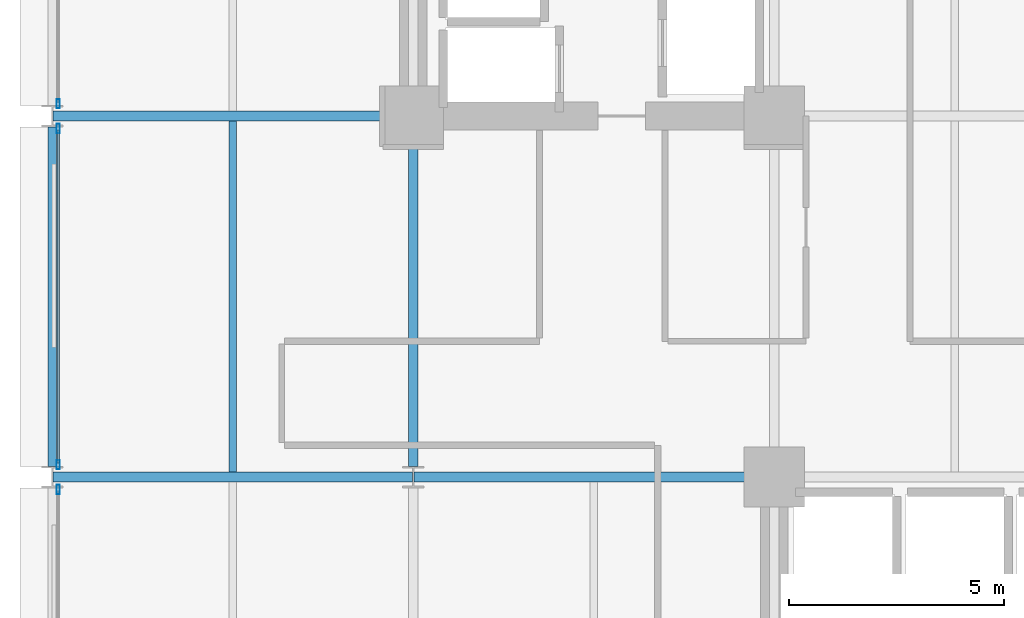
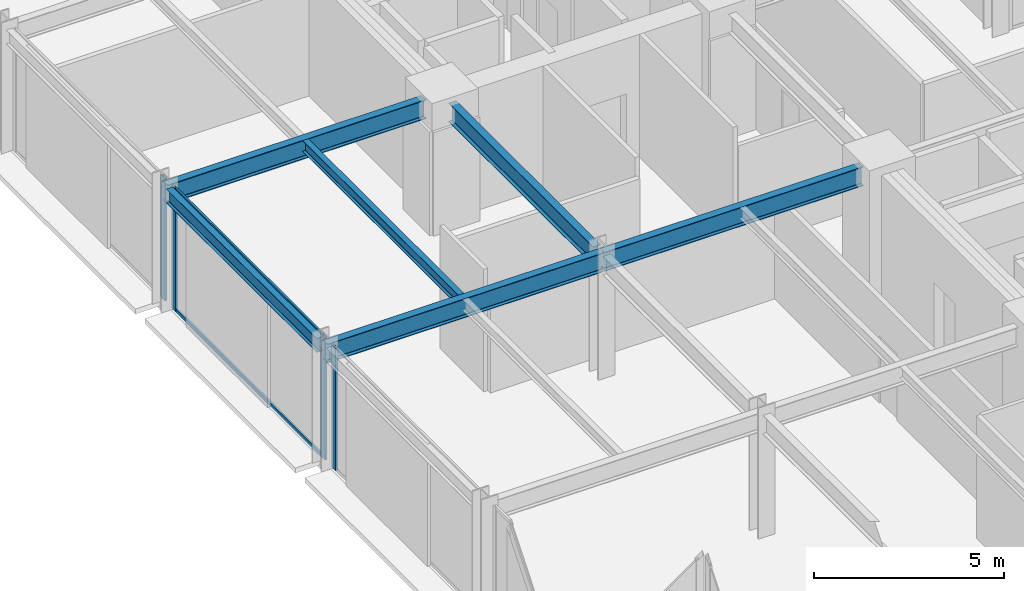
# One storey, part 6 of 25: 6 beams, 6 members, 3 elements without a shape of their own.
"""IFC4 building model written with IfcOpenShell, lengths in metres."""

from ifc_helpers import new_model, si_unit, direction, frame, origin, origin_2d, place, context, subcontext, project, spatial, hollow_rectangle, i_section, extrude, material, layer, layer_set, material_profile, profile_set, type_object, element, aggregate, save


model = new_model("IFC4")

# Units and contexts
model_context = context("Model", 3, precision=1e-05, world=origin(), true_north=direction((0.0, 1.0)))
body_context = subcontext(model_context, "Body", "Model", "MODEL_VIEW")
ifc_project = project(units=[si_unit("LENGTHUNIT", "METRE"), si_unit("AREAUNIT", "SQUARE_METRE"), si_unit("VOLUMEUNIT", "CUBIC_METRE"), si_unit("PLANEANGLEUNIT", "RADIAN"), si_unit("MASSUNIT", "GRAM", prefix="KILO")], contexts=[model_context])

# Site, building, storey
site_placement = place(None, origin())
site = spatial("IfcSite", under=ifc_project, at=site_placement, CompositionType="ELEMENT")
building_placement = place(site_placement, origin())
building = spatial("IfcBuilding", under=site, at=building_placement, Name="Nerrivon Quay Data Exchange", CompositionType="ELEMENT")
storey_placement = place(building_placement, frame((0.0, 0.0, 24.800048828125)))
storey = spatial("IfcBuildingStorey", under=building, at=storey_placement, Name="L05", CompositionType="ELEMENT", Elevation=24.800048828125)

# Beams
ifc_material_1 = material(Name="Steel Grade 350", Category="steel")
ifc_material_profile_1 = material_profile(ifc_material_1, i_section(OverallWidth=0.22900390625, OverallDepth=0.612060546875, WebThickness=0.011962890625, FlangeThickness=0.01953125, FilletRadius=0.013916015625, at=origin_2d()), Name="610UB125")
ifc_profile_set_1 = profile_set([ifc_material_profile_1], Name="Steel Grade 350")
beam_type_1 = type_object("IfcBeamType", Name="BM-G1-610UB125", PredefinedType="BEAM", material=ifc_profile_set_1)
beam_1_placement = place(storey_placement, frame((0.013916015625, 16.800048828125, 3.618896484375), z_axis=(1.0, 0.0, 0.0), x_axis=(0.0, 1.0, 0.0)))
element("IfcBeam", 1, at=beam_1_placement, inside=storey, type_object=beam_type_1, Name="L05 EW Girder Y=16.8 (0.0..8.4)", PredefinedType="BEAM", context=body_context, shape_type="SweptSolid", body=[
    extrude(i_section(OverallWidth=0.22900390625, OverallDepth=0.612060546875, WebThickness=0.011962890625, FlangeThickness=0.01953125, FilletRadius=0.013916015625, at=origin_2d()), origin(), (0.0, 0.0, 1.0), 8.3720703125),
])
beam_2_placement = place(storey_placement, frame((8.4140625, 16.800048828125, 3.618896484375), z_axis=(1.0, 0.0, 0.0), x_axis=(0.0, 1.0, 0.0)))
element("IfcBeam", 2, at=beam_2_placement, inside=storey, type_object=beam_type_1, Name="L05 EW Girder Y=16.8 (8.4..16.8)", PredefinedType="BEAM", context=body_context, shape_type="SweptSolid", body=[
    extrude(i_section(OverallWidth=0.22900390625, OverallDepth=0.612060546875, WebThickness=0.011962890625, FlangeThickness=0.01953125, FilletRadius=0.013916015625, at=origin_2d()), origin(), (0.0, 0.0, 1.0), 7.845947265625),
])
beam_3_placement = place(storey_placement, frame((0.013916015625, 25.199951171875, 3.618896484375), z_axis=(1.0, 0.0, 0.0), x_axis=(0.0, 1.0, 0.0)))
element("IfcBeam", 3, at=beam_3_placement, inside=storey, type_object=beam_type_1, Name="L05 EW Girder Y=25.2 (0.0..8.4)", PredefinedType="BEAM", context=body_context, shape_type="SweptSolid", body=[
    extrude(i_section(OverallWidth=0.22900390625, OverallDepth=0.612060546875, WebThickness=0.011962890625, FlangeThickness=0.01953125, FilletRadius=0.013916015625, at=origin_2d()), origin(), (0.0, 0.0, 1.0), 7.84619140625),
])
ifc_material_profile_2 = material_profile(ifc_material_1, i_section(OverallWidth=0.22802734375, OverallDepth=0.60205078125, WebThickness=0.010498046875, FlangeThickness=0.014892578125, FilletRadius=0.013916015625, at=origin_2d()), Name="610UB101")
ifc_profile_set_2 = profile_set([ifc_material_profile_2], Name="Steel Grade 350")
beam_type_2 = type_object("IfcBeamType", Name="BM-G2-610UB101", PredefinedType="BEAM", material=ifc_profile_set_2)
beam_4_placement = place(storey_placement, frame((8.39990234375, 17.050048828125, 3.6240234375), z_axis=(0.0, 1.0, 0.0), x_axis=(-1.0, 0.0, 0.0)))
element("IfcBeam", 4, at=beam_4_placement, inside=storey, type_object=beam_type_2, Name="L05 NS Girder X=8.4 (16.8..25.2)", PredefinedType="BEAM", context=body_context, shape_type="SweptSolid", body=[
    extrude(i_section(OverallWidth=0.22802734375, OverallDepth=0.60205078125, WebThickness=0.010498046875, FlangeThickness=0.014892578125, FilletRadius=0.013916015625, at=origin_2d()), origin(), (0.0, 0.0, 1.0), 7.60986328125),
])
ifc_material_profile_3 = material_profile(ifc_material_1, i_section(OverallWidth=0.172119140625, OverallDepth=0.35888671875, WebThickness=0.008056640625, FlangeThickness=0.012939453125, FilletRadius=0.011474609375, at=origin_2d()), Name="360UB56.7")
ifc_profile_set_3 = profile_set([ifc_material_profile_3], Name="Steel Grade 350")
beam_type_3 = type_object("IfcBeamType", Name="BM-J3-360UB57", PredefinedType="JOIST", material=ifc_profile_set_3)
beam_5_placement = place(storey_placement, frame((4.199951171875, 16.91455078125, 3.745361328125), z_axis=(0.0, 1.0, 0.0), x_axis=(-1.0, 0.0, 0.0)))
element("IfcBeam", 5, at=beam_5_placement, inside=storey, type_object=beam_type_3, Name="L05 Secondary Joist X=4.2 (16.8..25.2)", PredefinedType="JOIST", context=body_context, shape_type="SweptSolid", body=[
    extrude(i_section(OverallWidth=0.172119140625, OverallDepth=0.35888671875, WebThickness=0.008056640625, FlangeThickness=0.012939453125, FilletRadius=0.011474609375, at=origin_2d()), origin(), (0.0, 0.0, 1.0), 8.1708984375),
])
ifc_material_profile_4 = material_profile(ifc_material_1, i_section(OverallWidth=0.18994140625, OverallDepth=0.4541015625, WebThickness=0.008544921875, FlangeThickness=0.0126953125, FilletRadius=0.011474609375, at=origin_2d()), Name="460UB67.1")
ifc_profile_set_4 = profile_set([ifc_material_profile_4], Name="Steel Grade 350")
beam_type_4 = type_object("IfcBeamType", Name="BM-SP1-460UB67", PredefinedType="SPANDREL", material=ifc_profile_set_4)
beam_6_placement = place(storey_placement, frame((0.0, 17.050048828125, 3.697998046875), z_axis=(0.0, 1.0, 0.0), x_axis=(-1.0, 0.0, 0.0)))
element("IfcBeam", 6, at=beam_6_placement, inside=storey, type_object=beam_type_4, Name="L05 NS Girder X=0.0 (16.8..25.2)", PredefinedType="SPANDREL", context=body_context, shape_type="SweptSolid", body=[
    extrude(i_section(OverallWidth=0.18994140625, OverallDepth=0.4541015625, WebThickness=0.008544921875, FlangeThickness=0.0126953125, FilletRadius=0.011474609375, at=origin_2d()), origin(), (0.0, 0.0, 1.0), 7.89990234375),
])

# Curtain wall, member
ifc_material_2 = material(Name="Anodised aluminium 6063-T6", Category="aluminium")
ifc_layer = layer(ifc_material_2, 0.219970703125)
ifc_layer_set = layer_set([ifc_layer], Name="Anodised aluminium 6063-T6")
curtain_wall_type = type_object("IfcCurtainWallType", Name="CW-SYS-01", PredefinedType="NOTDEFINED", material=ifc_layer_set)
curtain_wall_1_placement = place(storey_placement, origin())
curtain_wall_1 = element("IfcCurtainWall", 7, at=curtain_wall_1_placement, inside=storey, type_object=curtain_wall_type, Name="L05 Unitised Curtain Wall 14", PredefinedType="NOTDEFINED")
ifc_material_profile_5 = material_profile(ifc_material_2, hollow_rectangle(XDim=0.074951171875, YDim=0.219970703125, WallThickness=0.00390625, at=origin_2d()), Name="ALU-MULL-220x75")
ifc_profile_set_5 = profile_set([ifc_material_profile_5], Name="Anodised aluminium 6063-T6")
member_type_1 = type_object("IfcMemberType", Name="CWM-220x75", PredefinedType="MULLION", material=ifc_profile_set_5)
member_1_placement = place(storey_placement, frame((0.139892578125, 16.512451171875, 0.0), z_axis=(0.0, 0.0, 1.0), x_axis=(-1.0, 0.0, 0.0)))
member_1 = element("IfcMember", 8, at=member_1_placement, type_object=member_type_1, Name="CW01 mullion 2", PredefinedType="MULLION", context=body_context, shape_type="SweptSolid", body=[
    extrude(hollow_rectangle(XDim=0.074951171875, YDim=0.219970703125, WallThickness=0.00390625, at=origin_2d()), origin(), (0.0, 0.0, 1.0), 3.925048828125),
])
aggregate(curtain_wall_1, [member_1])

# Curtain wall, members
curtain_wall_2_placement = place(storey_placement, origin())
curtain_wall_2 = element("IfcCurtainWall", 9, at=curtain_wall_2_placement, inside=storey, type_object=curtain_wall_type, Name="L05 Unitised Curtain Wall 15", PredefinedType="NOTDEFINED")
member_2_placement = place(storey_placement, frame((0.139892578125, 17.08740234375, 0.0), z_axis=(0.0, 0.0, 1.0), x_axis=(-1.0, 0.0, 0.0)))
member_2 = element("IfcMember", 10, at=member_2_placement, type_object=member_type_1, Name="CW01 mullion 1", PredefinedType="MULLION", context=body_context, shape_type="SweptSolid", body=[
    extrude(hollow_rectangle(XDim=0.074951171875, YDim=0.219970703125, WallThickness=0.00390625, at=origin_2d()), origin(), (0.0, 0.0, 1.0), 3.925048828125),
])
member_3_placement = place(storey_placement, frame((0.139892578125, 24.91259765625, 0.0), z_axis=(0.0, 0.0, 1.0), x_axis=(-1.0, 0.0, 0.0)))
member_3 = element("IfcMember", 11, at=member_3_placement, type_object=member_type_1, Name="CW01 mullion 2", PredefinedType="MULLION", context=body_context, shape_type="SweptSolid", body=[
    extrude(hollow_rectangle(XDim=0.074951171875, YDim=0.219970703125, WallThickness=0.00390625, at=origin_2d()), origin(), (0.0, 0.0, 1.0), 3.925048828125),
])

# Curtain wall, member
curtain_wall_3_placement = place(storey_placement, origin())
curtain_wall_3 = element("IfcCurtainWall", 12, at=curtain_wall_3_placement, inside=storey, type_object=curtain_wall_type, Name="L05 Unitised Curtain Wall 16", PredefinedType="NOTDEFINED")
member_4_placement = place(storey_placement, frame((0.139892578125, 25.487548828125, 0.0), z_axis=(0.0, 0.0, 1.0), x_axis=(-1.0, 0.0, 0.0)))
member_4 = element("IfcMember", 13, at=member_4_placement, type_object=member_type_1, Name="CW01 mullion 1", PredefinedType="MULLION", context=body_context, shape_type="SweptSolid", body=[
    extrude(hollow_rectangle(XDim=0.074951171875, YDim=0.219970703125, WallThickness=0.00390625, at=origin_2d()), origin(), (0.0, 0.0, 1.0), 3.925048828125),
])
aggregate(curtain_wall_3, [member_4])

# Member
ifc_material_profile_6 = material_profile(ifc_material_2, hollow_rectangle(XDim=0.06005859375, YDim=0.1201171875, WallThickness=0.003173828125, at=origin_2d()), Name="ALU-TRAN-120x60")
ifc_profile_set_6 = profile_set([ifc_material_profile_6], Name="Anodised aluminium 6063-T6")
member_type_2 = type_object("IfcMemberType", Name="CWT-120x60", PredefinedType="USERDEFINED", material=ifc_profile_set_6)
member_5_placement = place(storey_placement, frame((0.139892578125, 17.125, 0.032470703125), z_axis=(0.0, 1.0, 0.0), x_axis=(-1.0, 0.0, 0.0)))
member_5 = element("IfcMember", 14, at=member_5_placement, type_object=member_type_2, Name="CW01 transom 1.1", ObjectType="TRANSOM", PredefinedType="USERDEFINED", context=body_context, shape_type="SweptSolid", body=[
    extrude(hollow_rectangle(XDim=0.06005859375, YDim=0.1201171875, WallThickness=0.003173828125, at=origin_2d()), origin(), (0.0, 0.0, 1.0), 7.75),
])

member_6_placement = place(storey_placement, frame((0.139892578125, 17.125, 3.892333984375), z_axis=(0.0, 1.0, 0.0), x_axis=(-1.0, 0.0, 0.0)))
member_6 = element("IfcMember", 15, at=member_6_placement, type_object=member_type_2, Name="CW01 transom 1.2", ObjectType="TRANSOM", PredefinedType="USERDEFINED", context=body_context, shape_type="SweptSolid", body=[
    extrude(hollow_rectangle(XDim=0.06005859375, YDim=0.1201171875, WallThickness=0.003173828125, at=origin_2d()), origin(), (0.0, 0.0, 1.0), 7.75),
])

aggregate(curtain_wall_2, [member_2, member_3, member_5, member_6])

save(model, "model.ifc")
